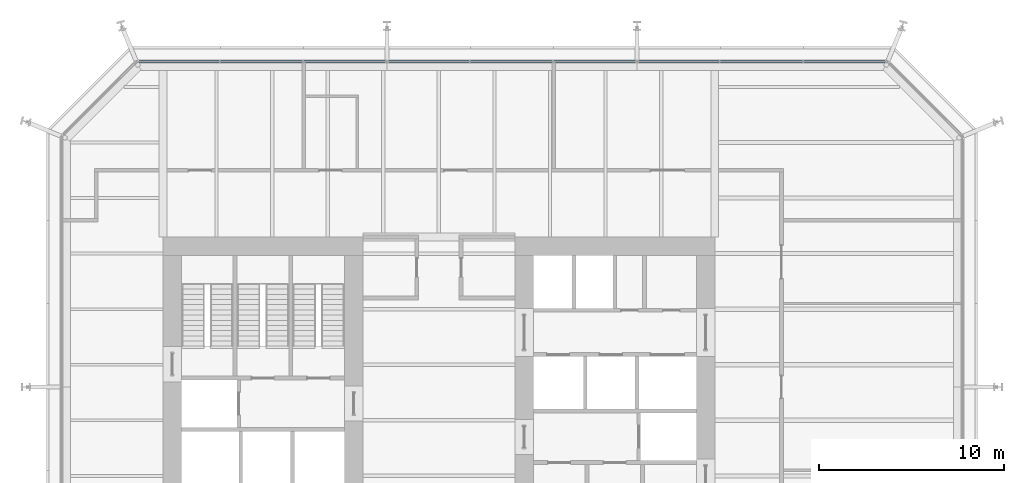
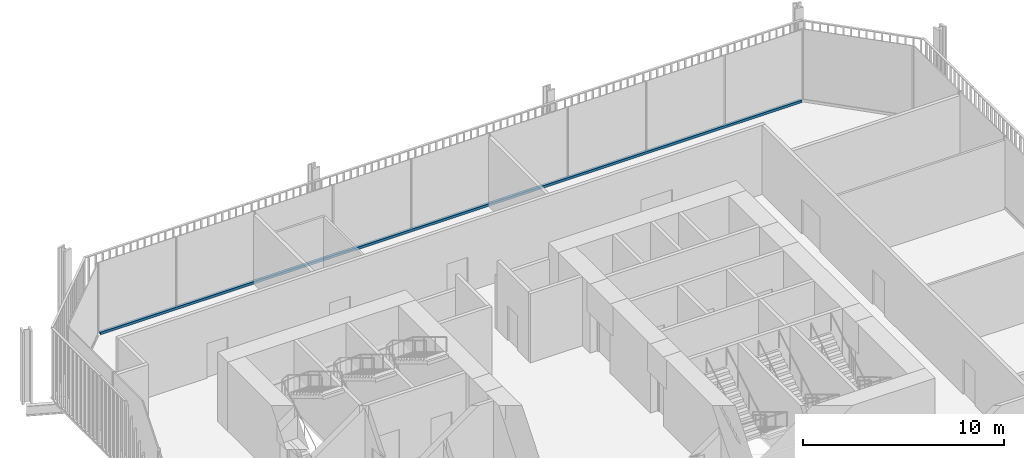
# One storey, part 13 of 20: 1 member, 1 element without a shape of its own.
"""IFC4 building model written with IfcOpenShell, lengths in metres."""

import ifcopenshell
import ifcopenshell.guid

model = None  # the IFC model being written
_history = None  # IfcOwnerHistory: only IFC2X3 demands one
_inside = {}  # id of a spatial element -> (the spatial element, [elements in it])
_under = {}  # id of a project, library or spatial element -> (it, [spatial elements below it])
_declared = {}  # id of a project -> (the project, [libraries it declares])
_typed = {}  # id of a type object -> (the type object, [elements of that type])
_made_of = {}  # id of a material, layer set ... -> (it, [elements and type objects made of it])


def new_model(schema):
    """Start an empty IFC model of exactly this schema.

    Asked for "IFC4X3", IfcOpenShell would pick the latest addendum, in which some entities
    have other attributes; the version numbers below select the first issue.
    IFC2X3 requires an IfcOwnerHistory on every rooted entity: one is made here for all.
    """
    global model, _history
    if schema == "IFC4X3":
        model = ifcopenshell.file(schema_version=(4, 3, 0, 0))
    else:
        model = ifcopenshell.file(schema=schema)
    _inside.clear()
    _under.clear()
    _declared.clear()
    _typed.clear()
    _made_of.clear()
    _history = None
    if model.schema == "IFC2X3":
        org = make("IfcOrganization", Name="unknown")
        user = make(
            "IfcPersonAndOrganization",
            ThePerson=make("IfcPerson", FamilyName="unknown"),
            TheOrganization=org,
        )
        app = make(
            "IfcApplication",
            ApplicationDeveloper=org,
            Version="unknown",
            ApplicationFullName="unknown",
            ApplicationIdentifier="unknown",
        )
        _history = make(
            "IfcOwnerHistory",
            OwningUser=user,
            OwningApplication=app,
            ChangeAction="ADDED",
            CreationDate=0,
        )
    return model


def make(cls, **values):
    """One entity of the class cls with the attributes given. An attribute that is None is left unset."""
    return model.create_entity(
        cls, **{name: value for name, value in values.items() if value is not None}
    )


def rooted(cls, **values):
    """An entity with a GlobalId (a new one), such as an element, a storey or a relation."""
    return make(cls, GlobalId=ifcopenshell.guid.new(), OwnerHistory=_history, **values)


def si_unit(unit_type, name, prefix=None):
    """IfcSIUnit, for example si_unit("LENGTHUNIT", "METRE", prefix="MILLI")."""
    return make("IfcSIUnit", UnitType=unit_type, Prefix=prefix, Name=name)


def assignment(units):
    """IfcUnitAssignment: the units of a project."""
    return None if units is None else make("IfcUnitAssignment", Units=units)


def point(xyz):
    """IfcCartesianPoint."""
    return None if xyz is None else make("IfcCartesianPoint", Coordinates=xyz)


def direction(xyz):
    """IfcDirection."""
    return None if xyz is None else make("IfcDirection", DirectionRatios=xyz)


def frame(location, z_axis=None, x_axis=None):
    """IfcAxis2Placement3D, a coordinate frame: its origin and axes. An axis left out is left unset."""
    return make(
        "IfcAxis2Placement3D",
        Location=point(location),
        Axis=direction(z_axis),
        RefDirection=direction(x_axis),
    )


def frame_2d(location, x_axis=None):
    """IfcAxis2Placement2D, a coordinate frame in the plane: its origin and x axis."""
    return make(
        "IfcAxis2Placement2D", Location=point(location), RefDirection=direction(x_axis)
    )


def origin():
    """The frame at (0, 0, 0) with its axes left unset."""
    return frame((0.0, 0.0, 0.0))


def origin_2d():
    """The frame at (0, 0) in the plane with its x axis left unset."""
    return frame_2d((0.0, 0.0))


def place(relative_to, where):
    """IfcLocalPlacement: puts the frame where relative to a parent placement (None: the world)."""
    return make(
        "IfcLocalPlacement", PlacementRelTo=relative_to, RelativePlacement=where
    )


def context(
    kind, dimensions, precision=None, world=None, true_north=None, identifier=None
):
    """IfcGeometricRepresentationContext, for example the 3D "Model" context."""
    return make(
        "IfcGeometricRepresentationContext",
        ContextIdentifier=identifier,
        ContextType=kind,
        CoordinateSpaceDimension=dimensions,
        Precision=precision,
        WorldCoordinateSystem=world,
        TrueNorth=true_north,
    )


def subcontext(parent, identifier, kind, view, scale=None):
    """IfcGeometricRepresentationSubContext, for example "Body" below "Model"."""
    return make(
        "IfcGeometricRepresentationSubContext",
        ContextIdentifier=identifier,
        ContextType=kind,
        ParentContext=parent,
        TargetScale=scale,
        TargetView=view,
    )


def project(units=None, contexts=None):
    """IfcProject with its units and contexts."""
    return rooted(
        "IfcProject",
        Name="project",
        RepresentationContexts=contexts,
        UnitsInContext=assignment(units),
    )


def spatial(cls, under=None, at=None, **own):
    """A site, building, storey or space (cls), placed at a placement, below another one or the project."""
    s = rooted(cls, ObjectPlacement=at, **own)
    if under is not None:
        _under.setdefault(under.id(), (under, []))[1].append(s)
    return s


def profile(cls, at=None, kind="AREA", **sizes):
    """A parametric profile (cls). Its sizes go by their IFC names, for example OverallWidth=200.0."""
    return make(cls, ProfileType=kind, Position=at, **sizes)


def rectangle(**sizes):
    """IfcRectangleProfileDef."""
    return profile("IfcRectangleProfileDef", **sizes)


def extrude(swept, where, along, depth):
    """IfcExtrudedAreaSolid: the profile swept, set in the frame where, extruded along a direction by depth."""
    return make(
        "IfcExtrudedAreaSolid",
        SweptArea=swept,
        Position=where,
        ExtrudedDirection=direction(along),
        Depth=depth,
    )


def shape(context_of_items, identifier, shape_type, items):
    """IfcShapeRepresentation: the items that make up one representation, for example the "Body"."""
    return make(
        "IfcShapeRepresentation",
        ContextOfItems=context_of_items,
        RepresentationIdentifier=identifier,
        RepresentationType=shape_type,
        Items=items,
    )


def material(Name=None, Category=None):
    """IfcMaterial."""
    return make("IfcMaterial", Name=Name, Category=Category)


def layer(
    of_material, thickness, ventilated=None, Name=None, Category=None, Priority=None
):
    """IfcMaterialLayer: one layer of a wall or slab, of a material (None: an air gap)."""
    return make(
        "IfcMaterialLayer",
        Material=of_material,
        LayerThickness=thickness,
        IsVentilated=ventilated,
        Name=Name,
        Category=Category,
        Priority=Priority,
    )


def layer_set(layers, Name=None):
    """IfcMaterialLayerSet."""
    return make("IfcMaterialLayerSet", MaterialLayers=layers, LayerSetName=Name)


def material_profile(
    of_material, cross_section, Name=None, Category=None, Priority=None
):
    """IfcMaterialProfile: a cross section and its material."""
    return make(
        "IfcMaterialProfile",
        Name=Name,
        Material=of_material,
        Profile=cross_section,
        Priority=Priority,
        Category=Category,
    )


def profile_set(profiles, Name=None, composite=None):
    """IfcMaterialProfileSet."""
    return make(
        "IfcMaterialProfileSet",
        Name=Name,
        MaterialProfiles=profiles,
        CompositeProfile=composite,
    )


def made_of(thing, what):
    """Note that an element or type object is made of a material, layer set ...; save() writes the relation."""
    if what is not None:
        _made_of.setdefault(what.id(), (what, []))[1].append(thing)
    return thing


def type_object(cls, material=None, **own):
    """A type object (cls), such as IfcWallType, which elements share."""
    return made_of(rooted(cls, **own), material)


def element(
    cls,
    number,
    at=None,
    inside=None,
    cuts=None,
    type_object=None,
    material=None,
    context=None,
    identifier="Body",
    shape_type=None,
    held_by="IfcProductDefinitionShape",
    body=None,
    shapes=None,
    **own,
):
    """One element of the class cls, such as IfcWall. Its Tag is "e" and its number.

    at: its placement. inside: the storey or other place that contains it. cuts: it is an
    opening in that element (IfcRelVoidsElement). A single representation is given by context,
    identifier, shape_type and body (its items); several are given by shapes. held_by: the class
    of the entity that holds the representations. save() writes the other relations.
    """
    e = rooted(cls, Tag="e%d" % number, ObjectPlacement=at, **own)
    if body is not None:
        shapes = [shape(context, identifier, shape_type, body)]
    if shapes is not None:
        e.Representation = make(held_by, Representations=shapes)
    if inside is not None:
        _inside.setdefault(inside.id(), (inside, []))[1].append(e)
    if cuts is not None:
        rooted(
            "IfcRelVoidsElement", RelatingBuildingElement=cuts, RelatedOpeningElement=e
        )
    if type_object is not None:
        _typed.setdefault(type_object.id(), (type_object, []))[1].append(e)
    return made_of(e, material)


def aggregate(whole, parts):
    """IfcRelAggregates: a whole, such as a stair, and the parts it consists of."""
    return rooted("IfcRelAggregates", RelatingObject=whole, RelatedObjects=parts)


def save(model, path):
    """Write the relations noted so far, then the file.

    IfcRelAggregates (storeys below a building ...), IfcRelContainedInSpatialStructure (elements
    in a storey), IfcRelDefinesByType, IfcRelAssociatesMaterial and IfcRelDeclares: one each for
    every whole, place, type object, material and project.
    """
    for whole, parts in _under.values():
        aggregate(whole, parts)
    for where, things in _inside.values():
        rooted(
            "IfcRelContainedInSpatialStructure",
            RelatedElements=things,
            RelatingStructure=where,
        )
    for kind, things in _typed.values():
        rooted("IfcRelDefinesByType", RelatedObjects=things, RelatingType=kind)
    for what, things in _made_of.values():
        rooted("IfcRelAssociatesMaterial", RelatedObjects=things, RelatingMaterial=what)
    for by, libraries in _declared.values():
        rooted("IfcRelDeclares", RelatingContext=by, RelatedDefinitions=libraries)
    model.write(path)


model = new_model("IFC4")

# Units and contexts
model_context = context("Model", 3, precision=1e-05, world=origin(), true_north=direction((0.0, 1.0)))
body_context = subcontext(model_context, "Body", "Model", "MODEL_VIEW")
ifc_project = project(units=[si_unit("LENGTHUNIT", "METRE"), si_unit("AREAUNIT", "SQUARE_METRE"), si_unit("VOLUMEUNIT", "CUBIC_METRE"), si_unit("PLANEANGLEUNIT", "RADIAN"), si_unit("MASSUNIT", "GRAM", prefix="KILO")], contexts=[model_context])

# Site, building, storey
site_placement = place(None, origin())
site = spatial("IfcSite", under=ifc_project, at=site_placement, CompositionType="ELEMENT")
building_placement = place(site_placement, origin())
building = spatial("IfcBuilding", under=site, at=building_placement, Name="Millrace Tower", CompositionType="ELEMENT")
storey_placement = place(building_placement, frame((0.0, 0.0, 86.39990234375)))
storey = spatial("IfcBuildingStorey", under=building, at=storey_placement, Name="L19", CompositionType="ELEMENT", Elevation=86.39990234375)

# Curtain wall, member
ifc_material_1 = material(Name="Aluminium and glass", Category="aluminium")
ifc_layer = layer(ifc_material_1, 0.14990234375)
ifc_layer_set = layer_set([ifc_layer], Name="Aluminium and glass")
curtain_wall_type = type_object("IfcCurtainWallType", Name="CW-3 telecom floor curtain wall", PredefinedType="NOTDEFINED", material=ifc_layer_set)
curtain_wall_placement = place(storey_placement, origin())
curtain_wall = element("IfcCurtainWall", 1, at=curtain_wall_placement, inside=storey, type_object=curtain_wall_type, Name="Curtain wall B-F06 L19", PredefinedType="NOTDEFINED")
ifc_material_2 = material(Name="Aluminium", Category="aluminium")
ifc_material_profile = material_profile(ifc_material_2, rectangle(XDim=0.14990234375, YDim=0.14990234375, at=origin_2d()))
ifc_profile_set = profile_set([ifc_material_profile], Name="Aluminium")
member_type = type_object("IfcMemberType", Name="CW-3 telecom floor curtain wall transom", PredefinedType="USERDEFINED", material=ifc_profile_set)
member_placement = place(storey_placement, frame((24.10009765625, 19.375, 0.0751953125), z_axis=(-1.0, 0.0, 0.0), x_axis=(0.0, -1.0, 0.0)))
member = element("IfcMember", 2, at=member_placement, type_object=member_type, Name="CW3 transom B-F06.1", ObjectType="TRANSOM", PredefinedType="USERDEFINED", context=body_context, shape_type="SweptSolid", body=[
    extrude(rectangle(XDim=0.14990234375, YDim=0.14990234375, at=origin_2d()), origin(), (0.0, 0.0, 1.0), 40.300048828125),
])
aggregate(curtain_wall, [member])

save(model, "model.ifc")
